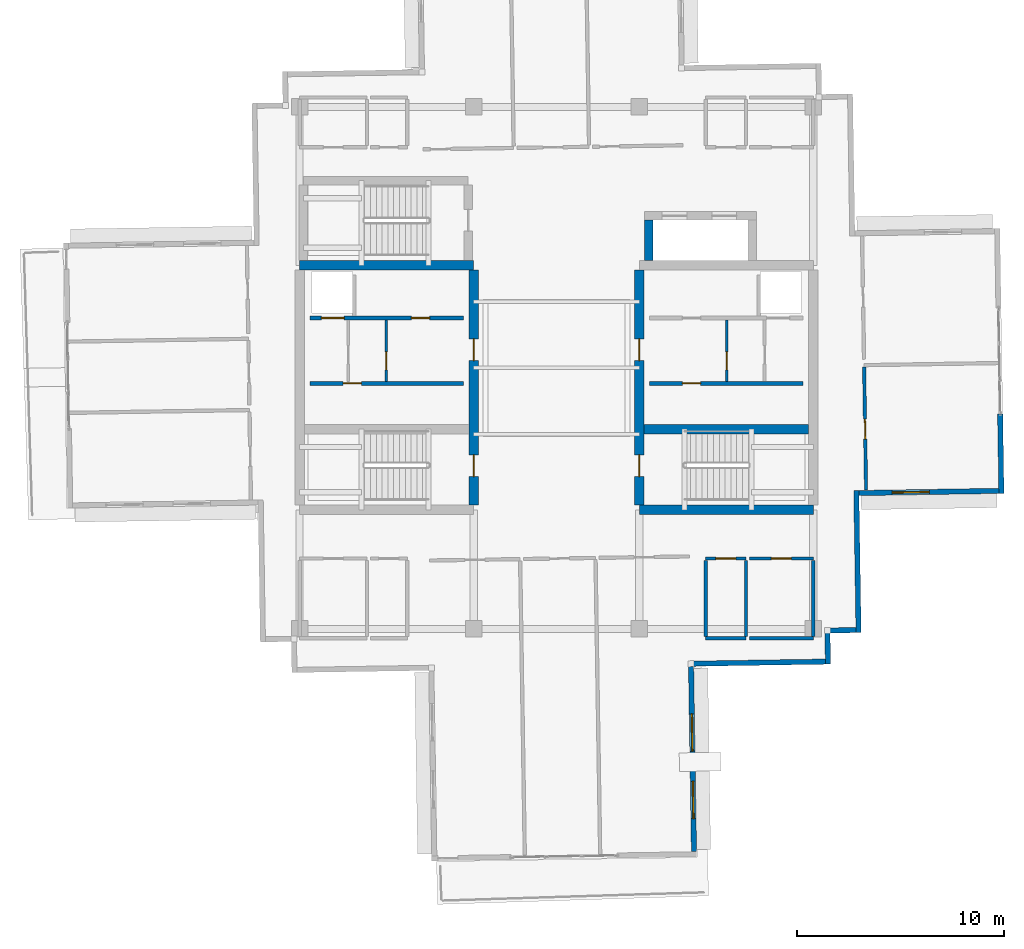
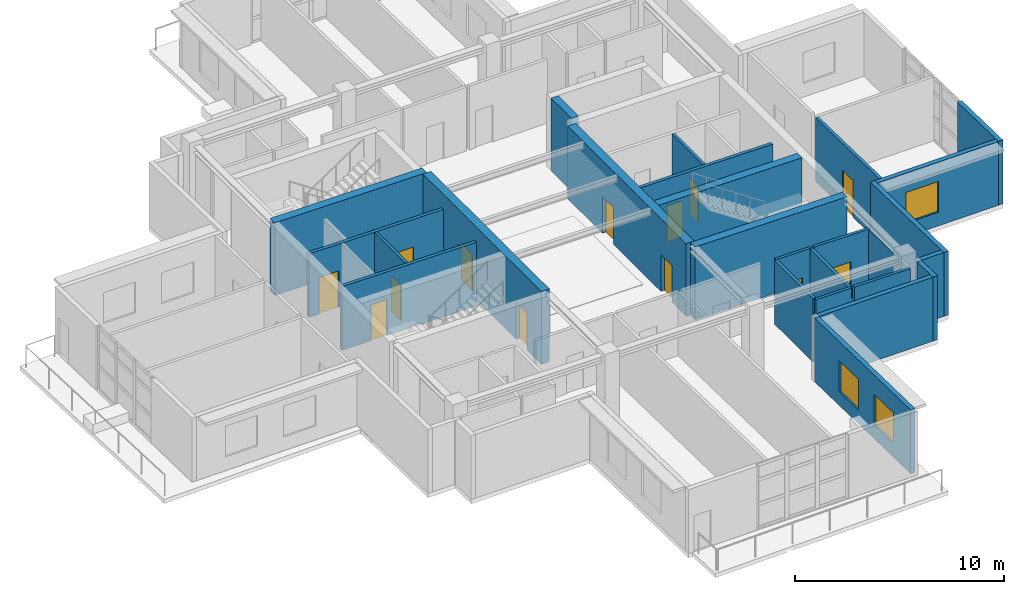
# One storey, part 11 of 18: 26 walls, 13 doors, 3 windows, 16 openings.
"""IFC4 building model written with IfcOpenShell, lengths in metres."""

from ifc_helpers import new_model, si_unit, direction, frame, frame_2d, origin, place, context, subcontext, project, spatial, rectangle, extrude, material, layer, layer_set, type_object, element, fill, save


model = new_model("IFC4")

# Units and contexts
model_context = context("Model", 3, precision=1e-05, world=origin(), true_north=direction((0.0, 1.0)))
body_context = subcontext(model_context, "Body", "Model", "MODEL_VIEW")
ifc_project = project(units=[si_unit("LENGTHUNIT", "METRE"), si_unit("AREAUNIT", "SQUARE_METRE"), si_unit("VOLUMEUNIT", "CUBIC_METRE"), si_unit("PLANEANGLEUNIT", "RADIAN"), si_unit("MASSUNIT", "GRAM", prefix="KILO")], contexts=[model_context])

# Site, building, storey
site_placement = place(None, origin())
site = spatial("IfcSite", under=ifc_project, at=site_placement, CompositionType="ELEMENT")
building_placement = place(site_placement, origin())
building = spatial("IfcBuilding", under=site, at=building_placement, Name="Qingluan Cross Belvedere", CompositionType="ELEMENT")
storey_placement = place(building_placement, frame((0.0, 0.0, 303.89990234375)))
storey = spatial("IfcBuildingStorey", under=building, at=storey_placement, Name="L75", CompositionType="ELEMENT", Elevation=303.89990234375)

# Wall
ifc_material_1 = material(Name="Concrete C50", Category="concrete")
ifc_layer_1 = layer(ifc_material_1, 0.449951171875, Name="CoreShearWall_450")
ifc_layer_set_1 = layer_set([ifc_layer_1], Name="Concrete C50")
wall_type_1 = type_object("IfcWallType", Name="CoreShearWall_450", PredefinedType="SHEAR", material=ifc_layer_set_1)
wall_1_placement = place(storey_placement, frame((-12.39990234375, 4.949951171875, 0.0), z_axis=(0.0, 0.0, 1.0), x_axis=(1.0, 0.0, 0.0)))
element("IfcWall", 1, at=wall_1_placement, inside=storey, type_object=wall_type_1, Name="Split core W shear wall L75-N", PredefinedType="SHEAR", context=body_context, shape_type="SweptSolid", body=[
    extrude(rectangle(XDim=8.39990234375, YDim=0.449951171875, at=frame_2d((4.199951171875, 0.0))), origin(), (0.0, 0.0, 1.0), 4.25),
])

# Wall, openings, doors
wall_2_placement = place(storey_placement, frame((-4.0, -6.6201171875, 0.0), z_axis=(0.0, 0.0, 1.0), x_axis=(0.0, 1.0, 0.0)))
wall_2 = element("IfcWall", 2, at=wall_2_placement, inside=storey, type_object=wall_type_1, Name="Split core W shear wall L75-E", PredefinedType="SHEAR", context=body_context, shape_type="SweptSolid", body=[
    extrude(rectangle(XDim=11.340087890625, YDim=0.449951171875, at=frame_2d((5.669921875, 0.0))), origin(), (0.0, 0.0, 1.0), 4.25),
])
opening_1_placement = place(wall_2_placement, frame((1.3701171875, 0.0, 0.0)))
opening_1 = element("IfcOpeningElement", 3, at=opening_1_placement, cuts=wall_2, Name="Opening FD-B11", PredefinedType="OPENING", context=body_context, shape_type="SweptSolid", body=[
    extrude(rectangle(XDim=1.050048828125, YDim=2.14990234375, at=frame_2d((0.52490234375, 1.074951171875))), frame((0.0, 0.23486328125, 0.0), z_axis=(0.0, -1.0, 0.0), x_axis=(1.0, 0.0, 0.0)), (0.0, 0.0, 1.0), 0.469970703125),
])
opening_2_placement = place(wall_2_placement, frame((6.969970703125, 0.0, 0.0)))
opening_2 = element("IfcOpeningElement", 4, at=opening_2_placement, cuts=wall_2, Name="Opening FD-B11", PredefinedType="OPENING", context=body_context, shape_type="SweptSolid", body=[
    extrude(rectangle(XDim=1.050048828125, YDim=2.14990234375, at=frame_2d((0.52490234375, 1.074951171875))), frame((0.0, 0.23486328125, 0.0), z_axis=(0.0, -1.0, 0.0), x_axis=(1.0, 0.0, 0.0)), (0.0, 0.0, 1.0), 0.469970703125),
])
ifc_material_2 = material(Name="Steel Class B smoke-seal fire door", Category="steel")
door_type_1 = type_object("IfcDoorType", Name="StairLobbyFireDoor_FDB", OperationType="NOTDEFINED", PredefinedType="DOOR", material=ifc_material_2)
door_1_placement = place(opening_1_placement, origin())
door_1 = element("IfcDoor", 5, at=door_1_placement, inside=storey, type_object=door_type_1, Name="Smoke-proof stair ST1 fire door L75", OperationType="SINGLE_SWING_LEFT", OverallHeight=2.14990234375, OverallWidth=1.050048828125, PredefinedType="DOOR", context=body_context, shape_type="SweptSolid", body=[
    extrude(rectangle(XDim=1.050048828125, YDim=2.14990234375, at=frame_2d((0.52490234375, 1.074951171875))), frame((0.0, 0.02490234375, 0.0), z_axis=(0.0, -1.0, 0.0), x_axis=(1.0, 0.0, 0.0)), (0.0, 0.0, 1.0), 0.050048828125),
])
fill(opening_1, door_1)
door_2_placement = place(opening_2_placement, origin())
door_2 = element("IfcDoor", 6, at=door_2_placement, inside=storey, type_object=door_type_1, Name="Firefighting lobby West fire door L75", OperationType="SINGLE_SWING_LEFT", OverallHeight=2.14990234375, OverallWidth=1.050048828125, PredefinedType="DOOR", context=body_context, shape_type="SweptSolid", body=[
    extrude(rectangle(XDim=1.050048828125, YDim=2.14990234375, at=frame_2d((0.52490234375, 1.074951171875))), frame((0.0, 0.02490234375, 0.0), z_axis=(0.0, -1.0, 0.0), x_axis=(1.0, 0.0, 0.0)), (0.0, 0.0, 1.0), 0.050048828125),
])
fill(opening_2, door_2)

# Wall
wall_3_placement = place(storey_placement, frame((4.0, -6.85009765625, 0.0), z_axis=(0.0, 0.0, 1.0), x_axis=(1.0, 0.0, 0.0)))
element("IfcWall", 7, at=wall_3_placement, inside=storey, type_object=wall_type_1, Name="Split core E shear wall L75-S", PredefinedType="SHEAR", context=body_context, shape_type="SweptSolid", body=[
    extrude(rectangle(XDim=8.39990234375, YDim=0.449951171875, at=frame_2d((4.199951171875, 0.0))), origin(), (0.0, 0.0, 1.0), 4.25),
])

# Wall, openings, doors
wall_4_placement = place(storey_placement, frame((4.0, -6.6201171875, 0.0), z_axis=(0.0, 0.0, 1.0), x_axis=(0.0, 1.0, 0.0)))
wall_4 = element("IfcWall", 8, at=wall_4_placement, inside=storey, type_object=wall_type_1, Name="Split core E shear wall L75-W", PredefinedType="SHEAR", context=body_context, shape_type="SweptSolid", body=[
    extrude(rectangle(XDim=11.340087890625, YDim=0.449951171875, at=frame_2d((5.669921875, 0.0))), origin(), (0.0, 0.0, 1.0), 4.25),
])
opening_3_placement = place(wall_4_placement, frame((1.3701171875, 0.0, 0.0)))
opening_3 = element("IfcOpeningElement", 9, at=opening_3_placement, cuts=wall_4, Name="Opening FD-B11", PredefinedType="OPENING", context=body_context, shape_type="SweptSolid", body=[
    extrude(rectangle(XDim=1.050048828125, YDim=2.14990234375, at=frame_2d((0.52490234375, 1.074951171875))), frame((0.0, 0.23486328125, 0.0), z_axis=(0.0, -1.0, 0.0), x_axis=(1.0, 0.0, 0.0)), (0.0, 0.0, 1.0), 0.469970703125),
])
opening_4_placement = place(wall_4_placement, frame((6.969970703125, 0.0, 0.0)))
opening_4 = element("IfcOpeningElement", 10, at=opening_4_placement, cuts=wall_4, Name="Opening FD-B11", PredefinedType="OPENING", context=body_context, shape_type="SweptSolid", body=[
    extrude(rectangle(XDim=1.050048828125, YDim=2.14990234375, at=frame_2d((0.52490234375, 1.074951171875))), frame((0.0, 0.23486328125, 0.0), z_axis=(0.0, -1.0, 0.0), x_axis=(1.0, 0.0, 0.0)), (0.0, 0.0, 1.0), 0.469970703125),
])
door_3_placement = place(opening_3_placement, origin())
door_3 = element("IfcDoor", 11, at=door_3_placement, inside=storey, type_object=door_type_1, Name="Smoke-proof stair ST2 fire door L75", OperationType="SINGLE_SWING_RIGHT", OverallHeight=2.14990234375, OverallWidth=1.050048828125, PredefinedType="DOOR", context=body_context, shape_type="SweptSolid", body=[
    extrude(rectangle(XDim=1.050048828125, YDim=2.14990234375, at=frame_2d((0.52490234375, 1.074951171875))), frame((0.0, 0.02490234375, 0.0), z_axis=(0.0, -1.0, 0.0), x_axis=(1.0, 0.0, 0.0)), (0.0, 0.0, 1.0), 0.050048828125),
])
fill(opening_3, door_3)
door_4_placement = place(opening_4_placement, origin())
door_4 = element("IfcDoor", 12, at=door_4_placement, inside=storey, type_object=door_type_1, Name="Firefighting lobby East fire door L75", OperationType="SINGLE_SWING_RIGHT", OverallHeight=2.14990234375, OverallWidth=1.050048828125, PredefinedType="DOOR", context=body_context, shape_type="SweptSolid", body=[
    extrude(rectangle(XDim=1.050048828125, YDim=2.14990234375, at=frame_2d((0.52490234375, 1.074951171875))), frame((0.0, 0.02490234375, 0.0), z_axis=(0.0, -1.0, 0.0), x_axis=(1.0, 0.0, 0.0)), (0.0, 0.0, 1.0), 0.050048828125),
])
fill(opening_4, door_4)

# Walls
wall_5_placement = place(storey_placement, frame((4.22998046875, -2.9599609375, 0.0), z_axis=(0.0, 0.0, 1.0), x_axis=(1.0, 0.0, 0.0)))
element("IfcWall", 13, at=wall_5_placement, inside=storey, type_object=wall_type_1, Name="Split core E shear wall L75-M", PredefinedType="SHEAR", context=body_context, shape_type="SweptSolid", body=[
    extrude(rectangle(XDim=7.93994140625, YDim=0.449951171875, at=frame_2d((3.969970703125, 0.0))), origin(), (0.0, 0.0, 1.0), 4.25),
])
wall_6_placement = place(storey_placement, frame((4.449951171875, 5.179931640625, 0.0), z_axis=(0.0, 0.0, 1.0), x_axis=(0.0, 1.0, 0.0)))
element("IfcWall", 14, at=wall_6_placement, inside=storey, type_object=wall_type_1, Name="Express shuttle core wall L75-W", PredefinedType="SHEAR", context=body_context, shape_type="SweptSolid", body=[
    extrude(rectangle(XDim=1.9599609375, YDim=0.39990234375, at=frame_2d((0.97998046875, 0.0))), origin(), (0.0, 0.0, 1.0), 4.25),
])

# Wall, opening, door
ifc_material_3 = material(Name="Gypsum plasterboard on steel stud acoustic partition", Category="steel")
ifc_layer_2 = layer(ifc_material_3, 0.159912109375, Name="CorridorPartition_160")
ifc_layer_set_2 = layer_set([ifc_layer_2], Name="Gypsum plasterboard on steel stud acoustic partition")
wall_type_2 = type_object("IfcWallType", Name="CorridorPartition_160", PredefinedType="PARTITIONING", material=ifc_layer_set_2)
wall_7_placement = place(storey_placement, frame((14.944580078125, -5.903076171875, 0.0), z_axis=(0.0, 0.0, 1.0), x_axis=(-0.015709592507, 0.999876596737, 0.0)))
wall_7 = element("IfcWall", 15, at=wall_7_placement, inside=storey, type_object=wall_type_2, Name="Partition L75:sr_e1:W", PredefinedType="PARTITIONING", context=body_context, shape_type="SweptSolid", body=[
    extrude(rectangle(XDim=5.9521484375, YDim=0.159912109375, at=frame_2d((2.97607421875, 0.0))), origin(), (0.0, 0.0, 1.0), 3.72021484375),
])
opening_5_placement = place(wall_7_placement, frame((2.471923828125, 0.0, 0.0)))
opening_5 = element("IfcOpeningElement", 16, at=opening_5_placement, cuts=wall_7, Name="Opening GD-10", PredefinedType="OPENING", context=body_context, shape_type="SweptSolid", body=[
    extrude(rectangle(XDim=0.9599609375, YDim=2.14990234375, at=frame_2d((0.47998046875, 1.074951171875))), frame((0.0, 0.08984375, 0.0), z_axis=(0.0, -1.0, 0.0), x_axis=(1.0, 0.0, 0.0)), (0.0, 0.0, 1.0), 0.179931640625),
])
ifc_material_4 = material(Name="Timber oak fire-rated acoustic guestroom door", Category="wood")
door_type_2 = type_object("IfcDoorType", Name="GuestEntryDoor_FD60", OperationType="NOTDEFINED", PredefinedType="DOOR", material=ifc_material_4)
door_5_placement = place(opening_5_placement, origin())
door_5 = element("IfcDoor", 17, at=door_5_placement, inside=storey, type_object=door_type_2, Name="Lower sommelier wine room L75 door", OperationType="SINGLE_SWING_LEFT", OverallHeight=2.14990234375, OverallWidth=0.9599609375, PredefinedType="DOOR", context=body_context, shape_type="SweptSolid", body=[
    extrude(rectangle(XDim=0.9599609375, YDim=2.14990234375, at=frame_2d((0.47998046875, 1.074951171875))), frame((0.0, 0.02490234375, 0.0), z_axis=(0.0, -1.0, 0.0), x_axis=(1.0, 0.0, 0.0)), (0.0, 0.0, 1.0), 0.050048828125),
])
fill(opening_5, door_5)

# Wall
wall_8_placement = place(storey_placement, frame((7.199951171875, -13.050048828125, 0.0), z_axis=(0.0, 0.0, 1.0), x_axis=(1.0, 0.0, 0.0)))
element("IfcWall", 18, at=wall_8_placement, inside=storey, type_object=wall_type_2, Name="Partition L75:crown_se1:S", PredefinedType="PARTITIONING", context=body_context, shape_type="SweptSolid", body=[
    extrude(rectangle(XDim=1.949951171875, YDim=0.159912109375, at=frame_2d((0.97509765625, 0.0))), origin(), (0.0, 0.0, 1.0), 3.72021484375),
])

# Wall, opening, door
wall_9_placement = place(storey_placement, frame((7.199951171875, -9.199951171875, 0.0), z_axis=(0.0, 0.0, 1.0), x_axis=(1.0, 0.0, 0.0)))
wall_9 = element("IfcWall", 19, at=wall_9_placement, inside=storey, type_object=wall_type_2, Name="Partition L75:crown_se1:N", PredefinedType="PARTITIONING", context=body_context, shape_type="SweptSolid", body=[
    extrude(rectangle(XDim=1.949951171875, YDim=0.159912109375, at=frame_2d((0.97509765625, 0.0))), origin(), (0.0, 0.0, 1.0), 3.72021484375),
])
opening_6_placement = place(wall_9_placement, frame((0.4951171875, 0.0, 0.0)))
opening_6 = element("IfcOpeningElement", 20, at=opening_6_placement, cuts=wall_9, Name="Opening GD-10", PredefinedType="OPENING", context=body_context, shape_type="SweptSolid", body=[
    extrude(rectangle(XDim=0.9599609375, YDim=2.14990234375, at=frame_2d((0.47998046875, 1.074951171875))), frame((0.0, 0.08984375, 0.0), z_axis=(0.0, -1.0, 0.0), x_axis=(1.0, 0.0, 0.0)), (0.0, 0.0, 1.0), 0.179931640625),
])
door_6_placement = place(opening_6_placement, origin())
door_6 = element("IfcDoor", 21, at=door_6_placement, inside=storey, type_object=door_type_2, Name="Lower private dining suite E L75 door", OperationType="SINGLE_SWING_LEFT", OverallHeight=2.14990234375, OverallWidth=0.9599609375, PredefinedType="DOOR", context=body_context, shape_type="SweptSolid", body=[
    extrude(rectangle(XDim=0.9599609375, YDim=2.14990234375, at=frame_2d((0.47998046875, 1.074951171875))), frame((0.0, 0.02490234375, 0.0), z_axis=(0.0, -1.0, 0.0), x_axis=(1.0, 0.0, 0.0)), (0.0, 0.0, 1.0), 0.050048828125),
])
fill(opening_6, door_6)

# Walls
for number, where, z_axis, x_axis, name in (
    (22, (7.199951171875, -12.965087890625, 0.0), (0.0, 0.0, 1.0), (0.0, 1.0, 0.0), "Partition L75:crown_se1:W"),
    (23, (9.14990234375, -12.965087890625, 0.0), (0.0, 0.0, 1.0), (0.0, 1.0, 0.0), "Partition L75:crown_se1:E"),
):
    element("IfcWall", number, at=place(storey_placement, frame(where, z_axis=z_axis, x_axis=x_axis)), inside=storey, type_object=wall_type_2, Name=name, PredefinedType="PARTITIONING", context=body_context, shape_type="SweptSolid", body=[
        extrude(rectangle(XDim=3.68017578125, YDim=0.159912109375, at=frame_2d((1.840087890625, 0.0))), origin(), (0.0, 0.0, 1.0), 3.72021484375),
    ])
wall_10_placement = place(storey_placement, frame((9.31005859375, -13.050048828125, 0.0), z_axis=(0.0, 0.0, 1.0), x_axis=(1.0, 0.0, 0.0)))
element("IfcWall", 24, at=wall_10_placement, inside=storey, type_object=wall_type_2, Name="Partition L75:crown_se2:S", PredefinedType="PARTITIONING", context=body_context, shape_type="SweptSolid", body=[
    extrude(rectangle(XDim=3.08984375, YDim=0.159912109375, at=frame_2d((1.544921875, 0.0))), origin(), (0.0, 0.0, 1.0), 3.72021484375),
])

# Wall, opening, door
wall_11_placement = place(storey_placement, frame((9.31005859375, -9.199951171875, 0.0), z_axis=(0.0, 0.0, 1.0), x_axis=(1.0, 0.0, 0.0)))
wall_11 = element("IfcWall", 25, at=wall_11_placement, inside=storey, type_object=wall_type_2, Name="Partition L75:crown_se2:N", PredefinedType="PARTITIONING", context=body_context, shape_type="SweptSolid", body=[
    extrude(rectangle(XDim=3.08984375, YDim=0.159912109375, at=frame_2d((1.544921875, 0.0))), origin(), (0.0, 0.0, 1.0), 3.72021484375),
])
opening_7_placement = place(wall_11_placement, frame((1.06494140625, 0.0, 0.0)))
opening_7 = element("IfcOpeningElement", 26, at=opening_7_placement, cuts=wall_11, Name="Opening GD-10", PredefinedType="OPENING", context=body_context, shape_type="SweptSolid", body=[
    extrude(rectangle(XDim=0.9599609375, YDim=2.14990234375, at=frame_2d((0.47998046875, 1.074951171875))), frame((0.0, 0.08984375, 0.0), z_axis=(0.0, -1.0, 0.0), x_axis=(1.0, 0.0, 0.0)), (0.0, 0.0, 1.0), 0.179931640625),
])
door_7_placement = place(opening_7_placement, origin())
door_7 = element("IfcDoor", 27, at=door_7_placement, inside=storey, type_object=door_type_2, Name="Lower service pantry L75 door", OperationType="SINGLE_SWING_RIGHT", OverallHeight=2.14990234375, OverallWidth=0.9599609375, PredefinedType="DOOR", context=body_context, shape_type="SweptSolid", body=[
    extrude(rectangle(XDim=0.9599609375, YDim=2.14990234375, at=frame_2d((0.47998046875, 1.074951171875))), frame((0.0, 0.02490234375, 0.0), z_axis=(0.0, -1.0, 0.0), x_axis=(1.0, 0.0, 0.0)), (0.0, 0.0, 1.0), 0.050048828125),
])
fill(opening_7, door_7)

# Wall
wall_12_placement = place(storey_placement, frame((12.39990234375, -12.965087890625, 0.0), z_axis=(0.0, 0.0, 1.0), x_axis=(0.0, 1.0, 0.0)))
element("IfcWall", 28, at=wall_12_placement, inside=storey, type_object=wall_type_2, Name="Partition L75:crown_se2:E", PredefinedType="PARTITIONING", context=body_context, shape_type="SweptSolid", body=[
    extrude(rectangle(XDim=3.68017578125, YDim=0.159912109375, at=frame_2d((1.840087890625, 0.0))), origin(), (0.0, 0.0, 1.0), 3.72021484375),
])

# Wall, opening, window
ifc_material_5 = material(Name="Precast concrete C45", Category="concrete")
ifc_layer_3 = layer(ifc_material_5, 0.25, Name="PrecastCrownWall_250")
ifc_layer_set_3 = layer_set([ifc_layer_3], Name="Precast concrete C45")
wall_type_3 = type_object("IfcWallType", Name="PrecastCrownWall_250", PredefinedType="STANDARD", material=ifc_layer_set_3)
wall_13_placement = place(storey_placement, frame((14.601806640625, -6.04150390625, 0.0), z_axis=(0.0, 0.0, 1.0), x_axis=(0.999876215546, 0.015733835688, 0.0)))
wall_13 = element("IfcWall", 29, at=wall_13_placement, inside=storey, type_object=wall_type_3, Name="Facade wall L75-EA", PredefinedType="STANDARD", context=body_context, shape_type="SweptSolid", body=[
    extrude(rectangle(XDim=6.749755859375, YDim=0.25, at=frame_2d((3.375, 0.0))), origin(), (0.0, 0.0, 1.0), 3.72998046875),
])
opening_8_placement = place(wall_13_placement, frame((1.60009765625, 0.0, 0.800048828125)))
opening_8 = element("IfcOpeningElement", 30, at=opening_8_placement, cuts=wall_13, Name="Opening W-05", PredefinedType="OPENING", context=body_context, shape_type="SweptSolid", body=[
    extrude(rectangle(XDim=1.800048828125, YDim=1.800048828125, at=frame_2d((0.89990234375, 0.89990234375))), frame((0.0, 0.135009765625, 0.0), z_axis=(0.0, -1.0, 0.0), x_axis=(1.0, 0.0, 0.0)), (0.0, 0.0, 1.0), 0.27001953125),
])
ifc_material_6 = material(Name="Thermally broken triple Low-E glass in aluminium frame", Category="aluminium")
window_type = type_object("IfcWindowType", Name="CrownBelvedereWin_1800x1800", PartitioningType="SINGLE_PANEL", PredefinedType="WINDOW", material=ifc_material_6)
window_1_placement = place(opening_8_placement, origin())
window_1 = element("IfcWindow", 31, at=window_1_placement, inside=storey, type_object=window_type, Name="Ribbon window L75-EA-1", OverallHeight=1.800048828125, OverallWidth=1.800048828125, PartitioningType="SINGLE_PANEL", PredefinedType="WINDOW", context=body_context, shape_type="SweptSolid", body=[
    extrude(rectangle(XDim=1.800048828125, YDim=1.800048828125, at=frame_2d((0.89990234375, 0.89990234375))), frame((0.0, 0.030029296875, 0.0), z_axis=(0.0, -1.0, 0.0), x_axis=(1.0, 0.0, 0.0)), (0.0, 0.0, 1.0), 0.06005859375),
])
fill(opening_8, window_1)

# Wall
wall_14_placement = place(storey_placement, frame((21.477783203125, -6.058349609375, 0.0), z_axis=(0.0, 0.0, 1.0), x_axis=(-0.015716526186, 0.999876487775, 0.0)))
element("IfcWall", 32, at=wall_14_placement, inside=storey, type_object=wall_type_3, Name="Terrace portal jamb wall L75-E1", PredefinedType="STANDARD", context=body_context, shape_type="SweptSolid", body=[
    extrude(rectangle(XDim=3.8369140625, YDim=0.25, at=frame_2d((1.91845703125, 0.0))), origin(), (0.0, 0.0, 1.0), 3.72998046875),
])

# Wall, openings, windows
wall_15_placement = place(storey_placement, frame((6.6376953125, -23.353515625, 0.0), z_axis=(0.0, 0.0, 1.0), x_axis=(-0.015712579601, 0.999876549801, 0.0)))
wall_15 = element("IfcWall", 33, at=wall_15_placement, inside=storey, type_object=wall_type_3, Name="Facade wall L75-SB", PredefinedType="STANDARD", context=body_context, shape_type="SweptSolid", body=[
    extrude(rectangle(XDim=8.949951171875, YDim=0.25, at=frame_2d((4.47509765625, 0.0))), origin(), (0.0, 0.0, 1.0), 3.72998046875),
])
opening_9_placement = place(wall_15_placement, frame((1.60009765625, 0.0, 0.800048828125)))
opening_9 = element("IfcOpeningElement", 34, at=opening_9_placement, cuts=wall_15, Name="Opening W-05", PredefinedType="OPENING", context=body_context, shape_type="SweptSolid", body=[
    extrude(rectangle(XDim=1.800048828125, YDim=1.800048828125, at=frame_2d((0.89990234375, 0.89990234375))), frame((0.0, 0.135009765625, 0.0), z_axis=(0.0, -1.0, 0.0), x_axis=(1.0, 0.0, 0.0)), (0.0, 0.0, 1.0), 0.27001953125),
])
opening_10_placement = place(wall_15_placement, frame((4.85009765625, 0.0, 0.800048828125)))
opening_10 = element("IfcOpeningElement", 35, at=opening_10_placement, cuts=wall_15, Name="Opening W-05", PredefinedType="OPENING", context=body_context, shape_type="SweptSolid", body=[
    extrude(rectangle(XDim=1.800048828125, YDim=1.800048828125, at=frame_2d((0.89990234375, 0.89990234375))), frame((0.0, 0.135009765625, 0.0), z_axis=(0.0, -1.0, 0.0), x_axis=(1.0, 0.0, 0.0)), (0.0, 0.0, 1.0), 0.27001953125),
])
window_2_placement = place(opening_9_placement, origin())
window_2 = element("IfcWindow", 36, at=window_2_placement, inside=storey, type_object=window_type, Name="Ribbon window L75-SB-1", OverallHeight=1.800048828125, OverallWidth=1.800048828125, PartitioningType="SINGLE_PANEL", PredefinedType="WINDOW", context=body_context, shape_type="SweptSolid", body=[
    extrude(rectangle(XDim=1.800048828125, YDim=1.800048828125, at=frame_2d((0.89990234375, 0.89990234375))), frame((0.0, 0.030029296875, 0.0), z_axis=(0.0, -1.0, 0.0), x_axis=(1.0, 0.0, 0.0)), (0.0, 0.0, 1.0), 0.06005859375),
])
fill(opening_9, window_2)
window_3_placement = place(opening_10_placement, origin())
window_3 = element("IfcWindow", 37, at=window_3_placement, inside=storey, type_object=window_type, Name="Ribbon window L75-SB-2", OverallHeight=1.800048828125, OverallWidth=1.800048828125, PartitioningType="SINGLE_PANEL", PredefinedType="WINDOW", context=body_context, shape_type="SweptSolid", body=[
    extrude(rectangle(XDim=1.800048828125, YDim=1.800048828125, at=frame_2d((0.89990234375, 0.89990234375))), frame((0.0, 0.030029296875, 0.0), z_axis=(0.0, -1.0, 0.0), x_axis=(1.0, 0.0, 0.0)), (0.0, 0.0, 1.0), 0.06005859375),
])
fill(opening_10, window_3)

# Walls
wall_16_placement = place(storey_placement, frame((14.474609375, -5.91845703125, 0.0), z_axis=(0.0, 0.0, 1.0), x_axis=(0.015730390149, -0.999876269758, 0.0)))
element("IfcWall", 38, at=wall_16_placement, inside=storey, type_object=wall_type_3, Name="Corner wall L75-SE1", PredefinedType="STANDARD", context=body_context, shape_type="SweptSolid", body=[
    extrude(rectangle(XDim=6.85986328125, YDim=0.25, at=frame_2d((3.429931640625, 0.0))), origin(), (0.0, 0.0, 1.0), 3.72998046875),
])
wall_17_placement = place(storey_placement, frame((14.45556640625, -12.654541015625, 0.0), z_axis=(0.0, 0.0, 1.0), x_axis=(-0.999877904354, -0.015626144237, 0.0)))
element("IfcWall", 39, at=wall_17_placement, inside=storey, type_object=wall_type_3, Name="Corner wall L75-SE2", PredefinedType="STANDARD", context=body_context, shape_type="SweptSolid", body=[
    extrude(rectangle(XDim=1.25, YDim=0.25, at=frame_2d((0.625, 0.0))), origin(), (0.0, 0.0, 1.0), 3.72998046875),
])
wall_18_placement = place(storey_placement, frame((13.082763671875, -12.801025390625, 0.0), z_axis=(0.0, 0.0, 1.0), x_axis=(0.015625635615, -0.999877912303, 0.0)))
element("IfcWall", 40, at=wall_18_placement, inside=storey, type_object=wall_type_3, Name="Corner wall L75-SE3", PredefinedType="STANDARD", context=body_context, shape_type="SweptSolid", body=[
    extrude(rectangle(XDim=1.5, YDim=0.25, at=frame_2d((0.75, 0.0))), origin(), (0.0, 0.0, 1.0), 3.72998046875),
])
wall_19_placement = place(storey_placement, frame((12.979248046875, -14.177978515625, 0.0), z_axis=(0.0, 0.0, 1.0), x_axis=(-0.999876740359, -0.015700448681, 0.0)))
element("IfcWall", 41, at=wall_19_placement, inside=storey, type_object=wall_type_3, Name="Corner wall L75-SE4", PredefinedType="STANDARD", context=body_context, shape_type="SweptSolid", body=[
    extrude(rectangle(XDim=6.35986328125, YDim=0.25, at=frame_2d((3.179931640625, 0.0))), origin(), (0.0, 0.0, 1.0), 3.72998046875),
])

# Wall, openings, doors
ifc_material_7 = material(Name="Concrete C40", Category="concrete")
ifc_layer_4 = layer(ifc_material_7, 0.219970703125, Name="ShaftEnclosureWall_250")
ifc_layer_set_4 = layer_set([ifc_layer_4], Name="Concrete C40")
wall_type_4 = type_object("IfcWallType", Name="ShaftEnclosureWall_250", PredefinedType="SOLIDWALL", material=ifc_layer_set_4)
wall_20_placement = place(storey_placement, frame((-11.89990234375, 2.409912109375, 0.0), z_axis=(0.0, 0.0, 1.0), x_axis=(1.0, 0.0, 0.0)))
wall_20 = element("IfcWall", 42, at=wall_20_placement, inside=storey, type_object=wall_type_4, Name="Core-W north hoistway wall L75", PredefinedType="SOLIDWALL", context=body_context, shape_type="SweptSolid", body=[
    extrude(rectangle(XDim=7.419921875, YDim=0.179931640625, at=frame_2d((3.7099609375, 0.0))), origin(), (0.0, 0.0, 1.0), 3.72021484375),
])
opening_11_placement = place(wall_20_placement, frame((0.550048828125, 0.0, 0.0)))
opening_11 = element("IfcOpeningElement", 43, at=opening_11_placement, cuts=wall_20, Name="Opening LD-11", PredefinedType="OPENING", context=body_context, shape_type="SweptSolid", body=[
    extrude(rectangle(XDim=1.10009765625, YDim=2.14990234375, at=frame_2d((0.550048828125, 1.074951171875))), frame((0.0, 0.099853515625, 0.0), z_axis=(0.0, -1.0, 0.0), x_axis=(1.0, 0.0, 0.0)), (0.0, 0.0, 1.0), 0.199951171875),
])
opening_12_placement = place(wall_20_placement, frame((4.89990234375, 0.0, 0.0)))
opening_12 = element("IfcOpeningElement", 44, at=opening_12_placement, cuts=wall_20, Name="Opening FD-B10", PredefinedType="OPENING", context=body_context, shape_type="SweptSolid", body=[
    extrude(rectangle(XDim=0.8798828125, YDim=2.10009765625, at=frame_2d((0.43994140625, 1.050048828125))), frame((0.0, 0.099853515625, 0.0), z_axis=(0.0, -1.0, 0.0), x_axis=(1.0, 0.0, 0.0)), (0.0, 0.0, 1.0), 0.199951171875),
])
ifc_material_8 = material(Name="Brushed stainless steel centre-opening lift landing door", Category="steel")
door_type_3 = type_object("IfcDoorType", Name="LiftLandingSlidingDoor_1100", OperationType="DOUBLE_DOOR_SLIDING", PredefinedType="DOOR", material=ifc_material_8)
door_8_placement = place(opening_11_placement, origin())
door_8 = element("IfcDoor", 45, at=door_8_placement, inside=storey, type_object=door_type_3, Name="Lift landing sliding door FL1 L75", OperationType="DOUBLE_DOOR_SLIDING", OverallHeight=2.14990234375, OverallWidth=1.10009765625, PredefinedType="DOOR", context=body_context, shape_type="SweptSolid", body=[
    extrude(rectangle(XDim=1.10009765625, YDim=2.14990234375, at=frame_2d((0.550048828125, 1.074951171875))), frame((0.0, 0.02490234375, 0.0), z_axis=(0.0, -1.0, 0.0), x_axis=(1.0, 0.0, 0.0)), (0.0, 0.0, 1.0), 0.050048828125),
])
fill(opening_11, door_8)
ifc_material_9 = material(Name="Steel Class B service fire door", Category="steel")
door_type_4 = type_object("IfcDoorType", Name="RiserServiceFireDoor_FDB", OperationType="NOTDEFINED", PredefinedType="DOOR", material=ifc_material_9)
door_9_placement = place(opening_12_placement, origin())
door_9 = element("IfcDoor", 46, at=door_9_placement, inside=storey, type_object=door_type_4, Name="Housekeeping supply room door W L75", OperationType="SINGLE_SWING_RIGHT", OverallHeight=2.10009765625, OverallWidth=0.8798828125, PredefinedType="DOOR", context=body_context, shape_type="SweptSolid", body=[
    extrude(rectangle(XDim=0.8798828125, YDim=2.10009765625, at=frame_2d((0.43994140625, 1.050048828125))), frame((0.0, 0.02490234375, 0.0), z_axis=(0.0, -1.0, 0.0), x_axis=(1.0, 0.0, 0.0)), (0.0, 0.0, 1.0), 0.050048828125),
])
fill(opening_12, door_9)

# Wall, opening, door
wall_21_placement = place(storey_placement, frame((-11.89990234375, -0.75, 0.0), z_axis=(0.0, 0.0, 1.0), x_axis=(1.0, 0.0, 0.0)))
wall_21 = element("IfcWall", 47, at=wall_21_placement, inside=storey, type_object=wall_type_4, Name="Core-W mid hoistway wall L75", PredefinedType="SOLIDWALL", context=body_context, shape_type="SweptSolid", body=[
    extrude(rectangle(XDim=7.419921875, YDim=0.179931640625, at=frame_2d((3.7099609375, 0.0))), origin(), (0.0, 0.0, 1.0), 3.72021484375),
])
opening_13_placement = place(wall_21_placement, frame((1.60009765625, 0.0, 0.0)))
opening_13 = element("IfcOpeningElement", 48, at=opening_13_placement, cuts=wall_21, Name="Opening FD-B10", PredefinedType="OPENING", context=body_context, shape_type="SweptSolid", body=[
    extrude(rectangle(XDim=0.8798828125, YDim=2.10009765625, at=frame_2d((0.43994140625, 1.050048828125))), frame((0.0, 0.099853515625, 0.0), z_axis=(0.0, -1.0, 0.0), x_axis=(1.0, 0.0, 0.0)), (0.0, 0.0, 1.0), 0.199951171875),
])
door_10_placement = place(opening_13_placement, origin())
door_10 = element("IfcDoor", 49, at=door_10_placement, inside=storey, type_object=door_type_4, Name="Upper-zone electrical room door L75", OperationType="SINGLE_SWING_RIGHT", OverallHeight=2.10009765625, OverallWidth=0.8798828125, PredefinedType="DOOR", context=body_context, shape_type="SweptSolid", body=[
    extrude(rectangle(XDim=0.8798828125, YDim=2.10009765625, at=frame_2d((0.43994140625, 1.050048828125))), frame((0.0, 0.02490234375, 0.0), z_axis=(0.0, -1.0, 0.0), x_axis=(1.0, 0.0, 0.0)), (0.0, 0.0, 1.0), 0.050048828125),
])
fill(opening_13, door_10)

wall_22_placement = place(storey_placement, frame((4.47998046875, -0.75, 0.0), z_axis=(0.0, 0.0, 1.0), x_axis=(1.0, 0.0, 0.0)))
wall_22 = element("IfcWall", 50, at=wall_22_placement, inside=storey, type_object=wall_type_4, Name="Core-E mid hoistway wall L75", PredefinedType="SOLIDWALL", context=body_context, shape_type="SweptSolid", body=[
    extrude(rectangle(XDim=7.419921875, YDim=0.179931640625, at=frame_2d((3.7099609375, 0.0))), origin(), (0.0, 0.0, 1.0), 3.72021484375),
])
opening_14_placement = place(wall_22_placement, frame((1.60009765625, 0.0, 0.0)))
opening_14 = element("IfcOpeningElement", 51, at=opening_14_placement, cuts=wall_22, Name="Opening FD-B10", PredefinedType="OPENING", context=body_context, shape_type="SweptSolid", body=[
    extrude(rectangle(XDim=0.8798828125, YDim=2.10009765625, at=frame_2d((0.43994140625, 1.050048828125))), frame((0.0, 0.099853515625, 0.0), z_axis=(0.0, -1.0, 0.0), x_axis=(1.0, 0.0, 0.0)), (0.0, 0.0, 1.0), 0.199951171875),
])
door_11_placement = place(opening_14_placement, origin())
door_11 = element("IfcDoor", 52, at=door_11_placement, inside=storey, type_object=door_type_4, Name="Upper-zone linen store door L75", OperationType="SINGLE_SWING_LEFT", OverallHeight=2.10009765625, OverallWidth=0.8798828125, PredefinedType="DOOR", context=body_context, shape_type="SweptSolid", body=[
    extrude(rectangle(XDim=0.8798828125, YDim=2.10009765625, at=frame_2d((0.43994140625, 1.050048828125))), frame((0.0, 0.02490234375, 0.0), z_axis=(0.0, -1.0, 0.0), x_axis=(1.0, 0.0, 0.0)), (0.0, 0.0, 1.0), 0.050048828125),
])
fill(opening_14, door_11)

wall_23_placement = place(storey_placement, frame((-8.219970703125, -0.64990234375, 0.0), z_axis=(0.0, 0.0, 1.0), x_axis=(0.0, 1.0, 0.0)))
wall_23 = element("IfcWall", 53, at=wall_23_placement, inside=storey, type_object=wall_type_4, Name="Core-W service corridor wall L75", PredefinedType="SOLIDWALL", context=body_context, shape_type="SweptSolid", body=[
    extrude(rectangle(XDim=2.9599609375, YDim=0.139892578125, at=frame_2d((1.47998046875, 0.0))), origin(), (0.0, 0.0, 1.0), 3.72021484375),
])
opening_15_placement = place(wall_23_placement, frame((0.550048828125, 0.0, 0.0)))
opening_15 = element("IfcOpeningElement", 54, at=opening_15_placement, cuts=wall_23, Name="Opening FD-B10", PredefinedType="OPENING", context=body_context, shape_type="SweptSolid", body=[
    extrude(rectangle(XDim=0.8798828125, YDim=2.10009765625, at=frame_2d((0.43994140625, 1.050048828125))), frame((0.0, 0.079833984375, 0.0), z_axis=(0.0, -1.0, 0.0), x_axis=(1.0, 0.0, 0.0)), (0.0, 0.0, 1.0), 0.159912109375),
])
door_12_placement = place(opening_15_placement, origin())
door_12 = element("IfcDoor", 55, at=door_12_placement, inside=storey, type_object=door_type_4, Name="Core-W service room door L75", OperationType="SINGLE_SWING_RIGHT", OverallHeight=2.10009765625, OverallWidth=0.8798828125, PredefinedType="DOOR", context=body_context, shape_type="SweptSolid", body=[
    extrude(rectangle(XDim=0.8798828125, YDim=2.10009765625, at=frame_2d((0.43994140625, 1.050048828125))), frame((0.0, 0.02490234375, 0.0), z_axis=(0.0, -1.0, 0.0), x_axis=(1.0, 0.0, 0.0)), (0.0, 0.0, 1.0), 0.050048828125),
])
fill(opening_15, door_12)

wall_24_placement = place(storey_placement, frame((8.219970703125, -0.64990234375, 0.0), z_axis=(0.0, 0.0, 1.0), x_axis=(0.0, 1.0, 0.0)))
wall_24 = element("IfcWall", 56, at=wall_24_placement, inside=storey, type_object=wall_type_4, Name="Core-E service corridor wall L75", PredefinedType="SOLIDWALL", context=body_context, shape_type="SweptSolid", body=[
    extrude(rectangle(XDim=2.9599609375, YDim=0.139892578125, at=frame_2d((1.47998046875, 0.0))), origin(), (0.0, 0.0, 1.0), 3.72021484375),
])
opening_16_placement = place(wall_24_placement, frame((0.550048828125, 0.0, 0.0)))
opening_16 = element("IfcOpeningElement", 57, at=opening_16_placement, cuts=wall_24, Name="Opening FD-B10", PredefinedType="OPENING", context=body_context, shape_type="SweptSolid", body=[
    extrude(rectangle(XDim=0.8798828125, YDim=2.10009765625, at=frame_2d((0.43994140625, 1.050048828125))), frame((0.0, 0.079833984375, 0.0), z_axis=(0.0, -1.0, 0.0), x_axis=(1.0, 0.0, 0.0)), (0.0, 0.0, 1.0), 0.159912109375),
])
door_13_placement = place(opening_16_placement, origin())
door_13 = element("IfcDoor", 58, at=door_13_placement, inside=storey, type_object=door_type_4, Name="Core-E service room door L75", OperationType="SINGLE_SWING_LEFT", OverallHeight=2.10009765625, OverallWidth=0.8798828125, PredefinedType="DOOR", context=body_context, shape_type="SweptSolid", body=[
    extrude(rectangle(XDim=0.8798828125, YDim=2.10009765625, at=frame_2d((0.43994140625, 1.050048828125))), frame((0.0, 0.02490234375, 0.0), z_axis=(0.0, -1.0, 0.0), x_axis=(1.0, 0.0, 0.0)), (0.0, 0.0, 1.0), 0.050048828125),
])
fill(opening_16, door_13)

save(model, "model.ifc")
